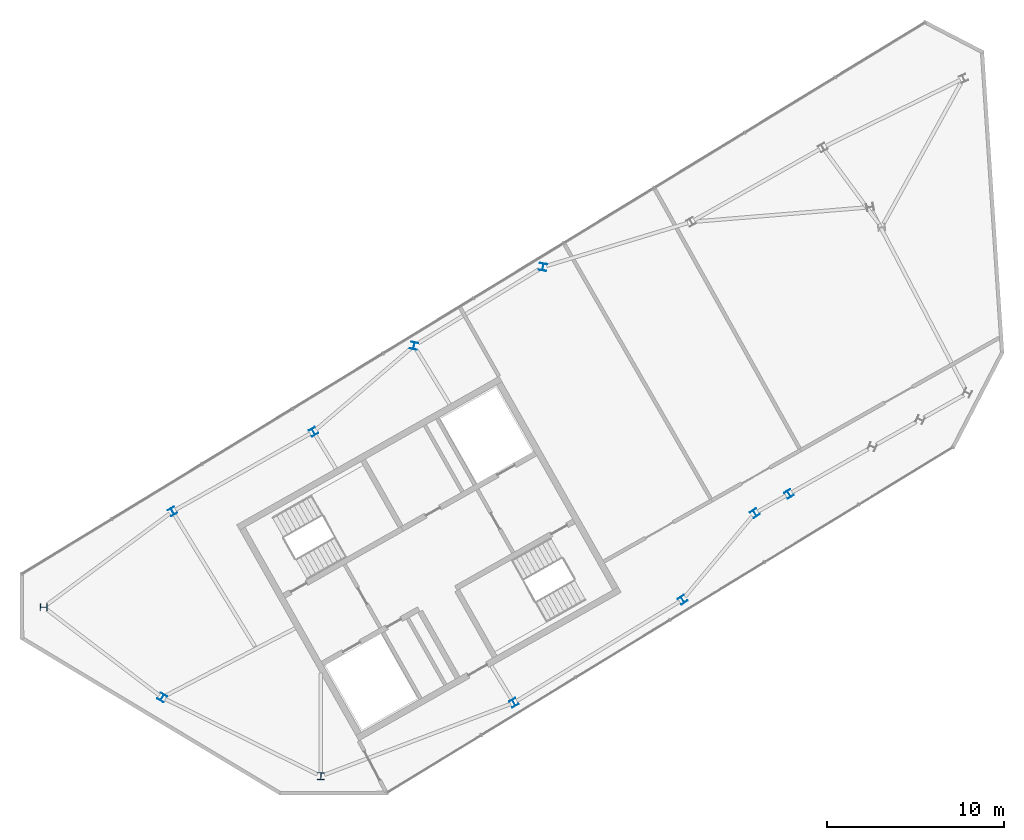
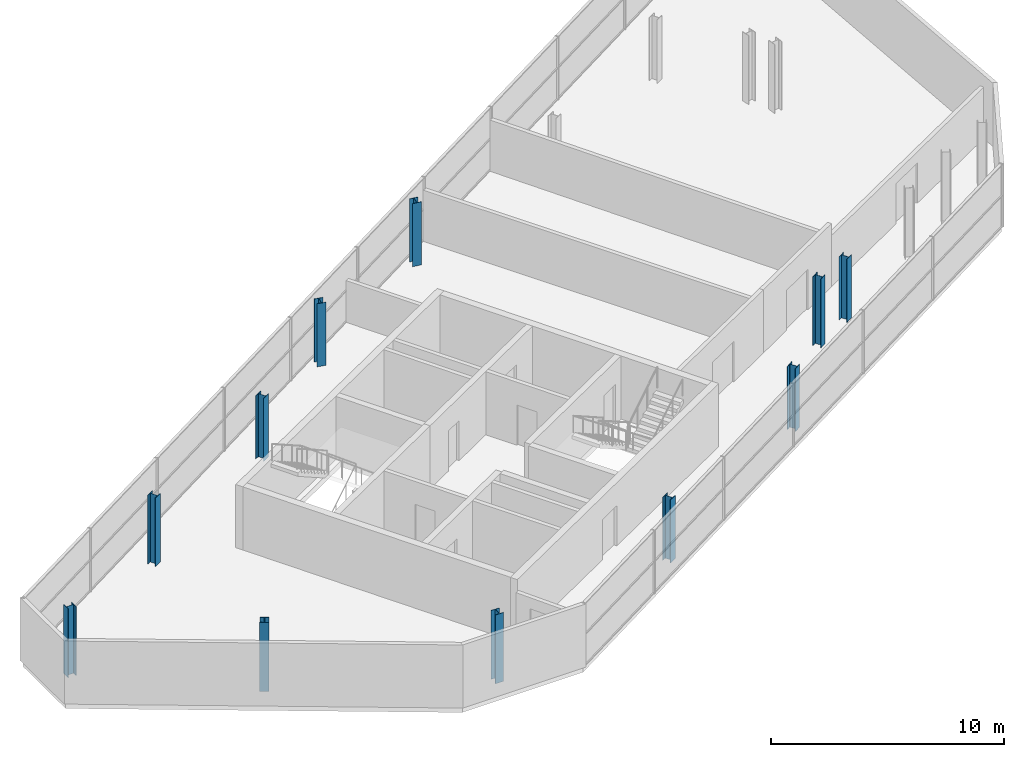
# One storey, part 1 of 8: 11 columns.
"""IFC4 building model written with IfcOpenShell, lengths in metres."""

import ifcopenshell
import ifcopenshell.guid

model = None  # the IFC model being written
_history = None  # IfcOwnerHistory: only IFC2X3 demands one
_inside = {}  # id of a spatial element -> (the spatial element, [elements in it])
_under = {}  # id of a project, library or spatial element -> (it, [spatial elements below it])
_declared = {}  # id of a project -> (the project, [libraries it declares])
_typed = {}  # id of a type object -> (the type object, [elements of that type])
_made_of = {}  # id of a material, layer set ... -> (it, [elements and type objects made of it])


def new_model(schema):
    """Start an empty IFC model of exactly this schema.

    Asked for "IFC4X3", IfcOpenShell would pick the latest addendum, in which some entities
    have other attributes; the version numbers below select the first issue.
    IFC2X3 requires an IfcOwnerHistory on every rooted entity: one is made here for all.
    """
    global model, _history
    if schema == "IFC4X3":
        model = ifcopenshell.file(schema_version=(4, 3, 0, 0))
    else:
        model = ifcopenshell.file(schema=schema)
    _inside.clear()
    _under.clear()
    _declared.clear()
    _typed.clear()
    _made_of.clear()
    _history = None
    if model.schema == "IFC2X3":
        org = make("IfcOrganization", Name="unknown")
        user = make(
            "IfcPersonAndOrganization",
            ThePerson=make("IfcPerson", FamilyName="unknown"),
            TheOrganization=org,
        )
        app = make(
            "IfcApplication",
            ApplicationDeveloper=org,
            Version="unknown",
            ApplicationFullName="unknown",
            ApplicationIdentifier="unknown",
        )
        _history = make(
            "IfcOwnerHistory",
            OwningUser=user,
            OwningApplication=app,
            ChangeAction="ADDED",
            CreationDate=0,
        )
    return model


def make(cls, **values):
    """One entity of the class cls with the attributes given. An attribute that is None is left unset."""
    return model.create_entity(
        cls, **{name: value for name, value in values.items() if value is not None}
    )


def rooted(cls, **values):
    """An entity with a GlobalId (a new one), such as an element, a storey or a relation."""
    return make(cls, GlobalId=ifcopenshell.guid.new(), OwnerHistory=_history, **values)


def si_unit(unit_type, name, prefix=None):
    """IfcSIUnit, for example si_unit("LENGTHUNIT", "METRE", prefix="MILLI")."""
    return make("IfcSIUnit", UnitType=unit_type, Prefix=prefix, Name=name)


def assignment(units):
    """IfcUnitAssignment: the units of a project."""
    return None if units is None else make("IfcUnitAssignment", Units=units)


def point(xyz):
    """IfcCartesianPoint."""
    return None if xyz is None else make("IfcCartesianPoint", Coordinates=xyz)


def direction(xyz):
    """IfcDirection."""
    return None if xyz is None else make("IfcDirection", DirectionRatios=xyz)


def frame(location, z_axis=None, x_axis=None):
    """IfcAxis2Placement3D, a coordinate frame: its origin and axes. An axis left out is left unset."""
    return make(
        "IfcAxis2Placement3D",
        Location=point(location),
        Axis=direction(z_axis),
        RefDirection=direction(x_axis),
    )


def frame_2d(location, x_axis=None):
    """IfcAxis2Placement2D, a coordinate frame in the plane: its origin and x axis."""
    return make(
        "IfcAxis2Placement2D", Location=point(location), RefDirection=direction(x_axis)
    )


def origin():
    """The frame at (0, 0, 0) with its axes left unset."""
    return frame((0.0, 0.0, 0.0))


def origin_2d():
    """The frame at (0, 0) in the plane with its x axis left unset."""
    return frame_2d((0.0, 0.0))


def place(relative_to, where):
    """IfcLocalPlacement: puts the frame where relative to a parent placement (None: the world)."""
    return make(
        "IfcLocalPlacement", PlacementRelTo=relative_to, RelativePlacement=where
    )


def context(
    kind, dimensions, precision=None, world=None, true_north=None, identifier=None
):
    """IfcGeometricRepresentationContext, for example the 3D "Model" context."""
    return make(
        "IfcGeometricRepresentationContext",
        ContextIdentifier=identifier,
        ContextType=kind,
        CoordinateSpaceDimension=dimensions,
        Precision=precision,
        WorldCoordinateSystem=world,
        TrueNorth=true_north,
    )


def subcontext(parent, identifier, kind, view, scale=None):
    """IfcGeometricRepresentationSubContext, for example "Body" below "Model"."""
    return make(
        "IfcGeometricRepresentationSubContext",
        ContextIdentifier=identifier,
        ContextType=kind,
        ParentContext=parent,
        TargetScale=scale,
        TargetView=view,
    )


def project(units=None, contexts=None):
    """IfcProject with its units and contexts."""
    return rooted(
        "IfcProject",
        Name="project",
        RepresentationContexts=contexts,
        UnitsInContext=assignment(units),
    )


def spatial(cls, under=None, at=None, **own):
    """A site, building, storey or space (cls), placed at a placement, below another one or the project."""
    s = rooted(cls, ObjectPlacement=at, **own)
    if under is not None:
        _under.setdefault(under.id(), (under, []))[1].append(s)
    return s


def profile(cls, at=None, kind="AREA", **sizes):
    """A parametric profile (cls). Its sizes go by their IFC names, for example OverallWidth=200.0."""
    return make(cls, ProfileType=kind, Position=at, **sizes)


def i_section(**sizes):
    """IfcIShapeProfileDef."""
    return profile("IfcIShapeProfileDef", **sizes)


def extrude(swept, where, along, depth):
    """IfcExtrudedAreaSolid: the profile swept, set in the frame where, extruded along a direction by depth."""
    return make(
        "IfcExtrudedAreaSolid",
        SweptArea=swept,
        Position=where,
        ExtrudedDirection=direction(along),
        Depth=depth,
    )


def shape(context_of_items, identifier, shape_type, items):
    """IfcShapeRepresentation: the items that make up one representation, for example the "Body"."""
    return make(
        "IfcShapeRepresentation",
        ContextOfItems=context_of_items,
        RepresentationIdentifier=identifier,
        RepresentationType=shape_type,
        Items=items,
    )


def material(Name=None, Category=None):
    """IfcMaterial."""
    return make("IfcMaterial", Name=Name, Category=Category)


def material_profile(
    of_material, cross_section, Name=None, Category=None, Priority=None
):
    """IfcMaterialProfile: a cross section and its material."""
    return make(
        "IfcMaterialProfile",
        Name=Name,
        Material=of_material,
        Profile=cross_section,
        Priority=Priority,
        Category=Category,
    )


def profile_set(profiles, Name=None, composite=None):
    """IfcMaterialProfileSet."""
    return make(
        "IfcMaterialProfileSet",
        Name=Name,
        MaterialProfiles=profiles,
        CompositeProfile=composite,
    )


def made_of(thing, what):
    """Note that an element or type object is made of a material, layer set ...; save() writes the relation."""
    if what is not None:
        _made_of.setdefault(what.id(), (what, []))[1].append(thing)
    return thing


def type_object(cls, material=None, **own):
    """A type object (cls), such as IfcWallType, which elements share."""
    return made_of(rooted(cls, **own), material)


def element(
    cls,
    number,
    at=None,
    inside=None,
    cuts=None,
    type_object=None,
    material=None,
    context=None,
    identifier="Body",
    shape_type=None,
    held_by="IfcProductDefinitionShape",
    body=None,
    shapes=None,
    **own,
):
    """One element of the class cls, such as IfcWall. Its Tag is "e" and its number.

    at: its placement. inside: the storey or other place that contains it. cuts: it is an
    opening in that element (IfcRelVoidsElement). A single representation is given by context,
    identifier, shape_type and body (its items); several are given by shapes. held_by: the class
    of the entity that holds the representations. save() writes the other relations.
    """
    e = rooted(cls, Tag="e%d" % number, ObjectPlacement=at, **own)
    if body is not None:
        shapes = [shape(context, identifier, shape_type, body)]
    if shapes is not None:
        e.Representation = make(held_by, Representations=shapes)
    if inside is not None:
        _inside.setdefault(inside.id(), (inside, []))[1].append(e)
    if cuts is not None:
        rooted(
            "IfcRelVoidsElement", RelatingBuildingElement=cuts, RelatedOpeningElement=e
        )
    if type_object is not None:
        _typed.setdefault(type_object.id(), (type_object, []))[1].append(e)
    return made_of(e, material)


def aggregate(whole, parts):
    """IfcRelAggregates: a whole, such as a stair, and the parts it consists of."""
    return rooted("IfcRelAggregates", RelatingObject=whole, RelatedObjects=parts)


def save(model, path):
    """Write the relations noted so far, then the file.

    IfcRelAggregates (storeys below a building ...), IfcRelContainedInSpatialStructure (elements
    in a storey), IfcRelDefinesByType, IfcRelAssociatesMaterial and IfcRelDeclares: one each for
    every whole, place, type object, material and project.
    """
    for whole, parts in _under.values():
        aggregate(whole, parts)
    for where, things in _inside.values():
        rooted(
            "IfcRelContainedInSpatialStructure",
            RelatedElements=things,
            RelatingStructure=where,
        )
    for kind, things in _typed.values():
        rooted("IfcRelDefinesByType", RelatedObjects=things, RelatingType=kind)
    for what, things in _made_of.values():
        rooted("IfcRelAssociatesMaterial", RelatedObjects=things, RelatingMaterial=what)
    for by, libraries in _declared.values():
        rooted("IfcRelDeclares", RelatingContext=by, RelatedDefinitions=libraries)
    model.write(path)


model = new_model("IFC4")

# Units and contexts
model_context = context("Model", 3, precision=1e-05, world=origin(), true_north=direction((0.0, 1.0)))
body_context = subcontext(model_context, "Body", "Model", "MODEL_VIEW")
ifc_project = project(units=[si_unit("LENGTHUNIT", "METRE"), si_unit("AREAUNIT", "SQUARE_METRE"), si_unit("VOLUMEUNIT", "CUBIC_METRE"), si_unit("PLANEANGLEUNIT", "RADIAN"), si_unit("MASSUNIT", "GRAM", prefix="KILO")], contexts=[model_context])

# Site, building, storey
site_placement = place(None, origin())
site = spatial("IfcSite", under=ifc_project, at=site_placement, CompositionType="ELEMENT")
building_placement = place(site_placement, origin())
building = spatial("IfcBuilding", under=site, at=building_placement, Name="Binnacle Exchange Tower", CompositionType="ELEMENT")
storey_placement = place(building_placement, frame((0.0, 0.0, 350.5)))
storey = spatial("IfcBuildingStorey", under=building, at=storey_placement, Name="L80", CompositionType="ELEMENT", Elevation=350.5)

# Columns
ifc_material = material(Name="Steel S355 (SHN355)", Category="steel")
ifc_material_profile = material_profile(ifc_material, i_section(OverallWidth=0.39990234375, OverallDepth=0.39990234375, WebThickness=0.012939453125, FlangeThickness=0.02099609375, FilletRadius=0.02197265625, at=origin_2d()), Name="H 400x400x13x21")
ifc_profile_set = profile_set([ifc_material_profile], Name="Steel S355 (SHN355)")
column_type = type_object("IfcColumnType", Name="H 400x400x13x21", PredefinedType="COLUMN", material=ifc_profile_set)
column_1_placement = place(storey_placement, frame((-42.280029296875, 46.918701171875, 0.0), z_axis=(0.0, 0.0, 1.0), x_axis=(-0.87035569594, -0.492423560103, 0.0)))
element("IfcColumn", 1, at=column_1_placement, inside=storey, type_object=column_type, Name="S:COL:MC08:L80", PredefinedType="COLUMN", context=body_context, shape_type="SweptSolid", body=[
    extrude(i_section(OverallWidth=0.39990234375, OverallDepth=0.39990234375, WebThickness=0.012939453125, FlangeThickness=0.02099609375, FilletRadius=0.02197265625, at=origin_2d()), origin(), (0.0, 0.0, 1.0), 3.300048828125),
])
for number, where, z_axis, x_axis, name in (
    (2, (-50.226318359375, 42.4228515625, 0.0), (0.0, 0.0, 1.0), (-0.87035569594, -0.492423560103, 0.0), "S:COL:MC04:L80"),
    (3, (-57.492919921875, 37.02734375, 0.0), (0.0, 0.0, 1.0), (-0.013089595571, -0.999914327574, 0.0), "S:COL:MC02:L80"),
    (4, (-50.81201171875, 31.930908203125, 0.0), (0.0, 0.0, 1.0), (0.857167300702, -0.51503807491, 0.0), "S:COL:MC01:L80"),
    (5, (-41.857666015625, 27.494873046875, 0.0), (0.0, 0.0, 1.0), (0.999914327574, -0.013089595571, 0.0), "S:COL:MC03:L80"),
):
    element("IfcColumn", number, at=place(storey_placement, frame(where, z_axis=z_axis, x_axis=x_axis)), inside=storey, type_object=column_type, Name=name, PredefinedType="COLUMN", context=body_context, shape_type="SweptSolid", body=[
        extrude(i_section(OverallWidth=0.39990234375, OverallDepth=0.39990234375, WebThickness=0.012939453125, FlangeThickness=0.02099609375, FilletRadius=0.02197265625, at=origin_2d()), origin(), (0.0, 0.0, 1.0), 3.60009765625),
    ])
for number, where, z_axis, x_axis, name in (
    (6, (-30.9755859375, 31.63525390625, 0.0), (0.0, 0.0, 1.0), (0.87035569594, 0.492423560103, 0.0), "S:COL:MC07:L80"),
    (7, (-29.330810546875, 56.214111328125, 0.0), (0.0, 0.0, 1.0), (-0.988271064619, 0.152709864898, 0.0), "S:COL:MC20:L80"),
    (8, (-36.608642578125, 51.77001953125, 0.0), (0.0, 0.0, 1.0), (-0.97666103348, 0.214786465314, 0.0), "S:COL:MC11:L80"),
    (9, (-21.456298828125, 37.448486328125, 0.0), (0.0, 0.0, 1.0), (0.830498693415, 0.557020574338, 0.0), "S:COL:MC17:L80"),
    (10, (-15.45751953125, 43.4130859375, 0.0), (0.0, 0.0, 1.0), (0.85345985094, 0.521158596622, 0.0), "S:COL:MC27:L80"),
):
    element("IfcColumn", number, at=place(storey_placement, frame(where, z_axis=z_axis, x_axis=x_axis)), inside=storey, type_object=column_type, Name=name, PredefinedType="COLUMN", context=body_context, shape_type="SweptSolid", body=[
        extrude(i_section(OverallWidth=0.39990234375, OverallDepth=0.39990234375, WebThickness=0.012939453125, FlangeThickness=0.02099609375, FilletRadius=0.02197265625, at=origin_2d()), origin(), (0.0, 0.0, 1.0), 3.300048828125),
    ])
column_2_placement = place(storey_placement, frame((-17.382080078125, 42.323974609375, 0.0), z_axis=(0.0, 0.0, 1.0), x_axis=(0.835615665335, 0.549314536351, 0.0)))
element("IfcColumn", 11, at=column_2_placement, inside=storey, type_object=column_type, Name="S:COL:MC23:L80", PredefinedType="COLUMN", context=body_context, shape_type="SweptSolid", body=[
    extrude(i_section(OverallWidth=0.39990234375, OverallDepth=0.39990234375, WebThickness=0.012939453125, FlangeThickness=0.02099609375, FilletRadius=0.02197265625, at=origin_2d()), origin(), (0.0, 0.0, 1.0), 3.60009765625),
])

save(model, "model.ifc")
